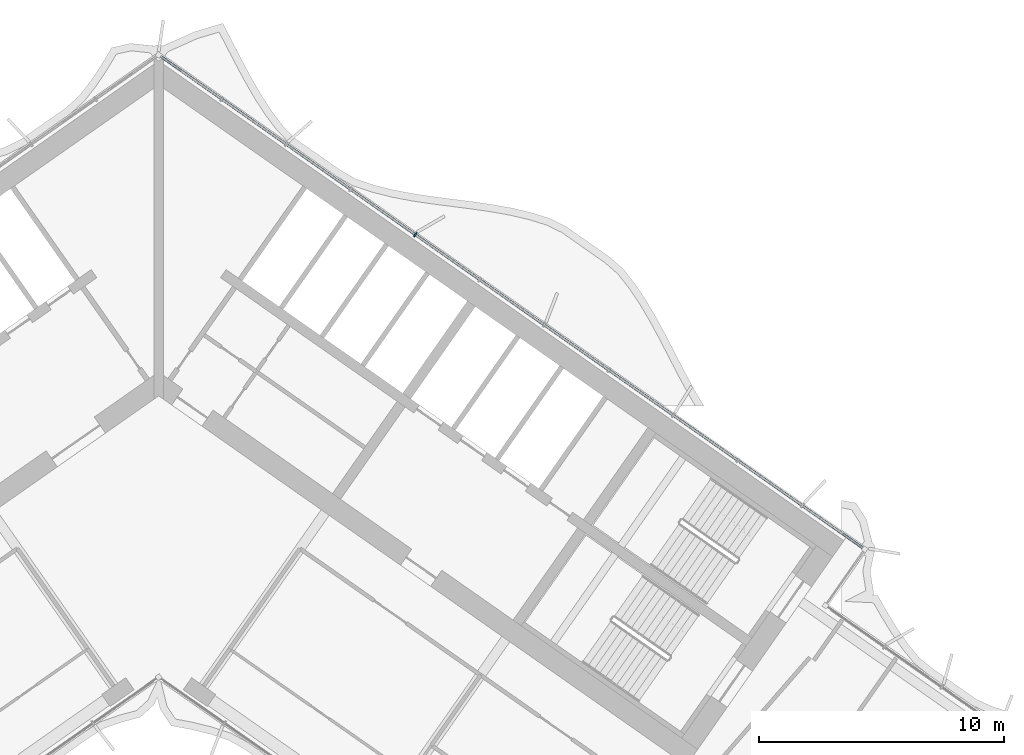
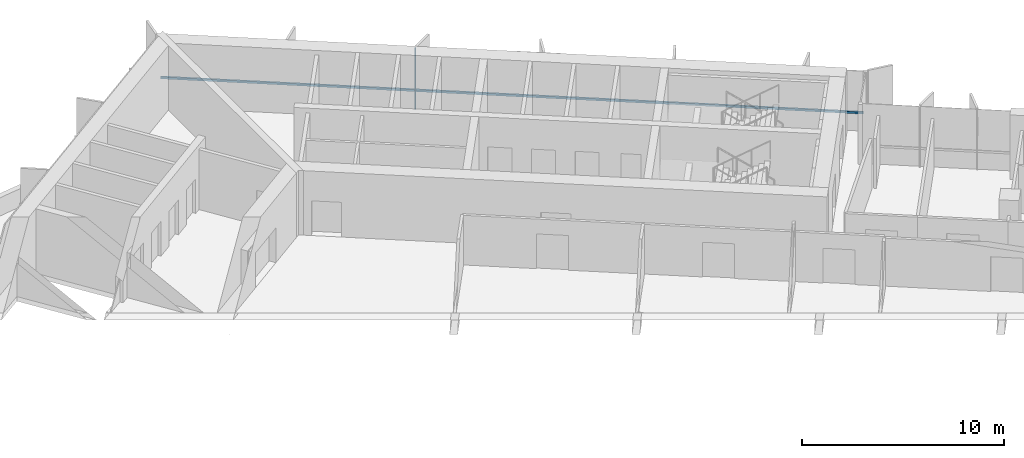
# One storey, part 10 of 23: 2 members, 1 element without a shape of its own.
"""IFC4 building model written with IfcOpenShell, lengths in metres."""

from ifc_helpers import new_model, si_unit, direction, frame, origin, origin_2d, place, context, subcontext, project, spatial, rectangle, extrude, material, material_profile, profile_set, type_object, element, aggregate, save


model = new_model("IFC4")

# Units and contexts
model_context = context("Model", 3, precision=1e-05, world=origin(), true_north=direction((0.0, 1.0)))
body_context = subcontext(model_context, "Body", "Model", "MODEL_VIEW")
ifc_project = project(units=[si_unit("LENGTHUNIT", "METRE"), si_unit("AREAUNIT", "SQUARE_METRE"), si_unit("VOLUMEUNIT", "CUBIC_METRE"), si_unit("PLANEANGLEUNIT", "RADIAN"), si_unit("MASSUNIT", "GRAM", prefix="KILO")], contexts=[model_context])

# Site, building, storey
site_placement = place(None, origin())
site = spatial("IfcSite", under=ifc_project, at=site_placement, CompositionType="ELEMENT")
building_placement = place(site_placement, origin())
building = spatial("IfcBuilding", under=site, at=building_placement, Name="Tel Ilan Convention Tower", CompositionType="ELEMENT")
storey_placement = place(building_placement, frame((0.0, 0.0, 171.0)))
storey = spatial("IfcBuildingStorey", under=building, at=storey_placement, Name="L39", CompositionType="ELEMENT", Elevation=171.0)

# Curtain wall, members
ifc_material_1 = material(Name="Aluminium, bronze anodised", Category="aluminium")
curtain_wall_type = type_object("IfcCurtainWallType", Name="CW2 STICK CURTAIN WALL, SPANDREL PANELS", PredefinedType="NOTDEFINED", material=ifc_material_1)
curtain_wall_placement = place(storey_placement, origin())
curtain_wall = element("IfcCurtainWall", 1, at=curtain_wall_placement, inside=storey, type_object=curtain_wall_type, Name="Curtain wall CW2-31.01", PredefinedType="NOTDEFINED")
ifc_material_2 = material(Name="Aluminium, bronze anodised", Category="aluminium")
ifc_material_profile_1 = material_profile(ifc_material_2, rectangle(XDim=0.06005859375, YDim=0.199951171875, at=origin_2d()), Name="CW MULLION 60x200")
ifc_profile_set_1 = profile_set([ifc_material_profile_1], Name="Aluminium, bronze anodised")
member_type_1 = type_object("IfcMemberType", Name="CW MULLION 60x200", PredefinedType="MULLION", material=ifc_profile_set_1)
member_1_placement = place(storey_placement, frame((10.47314453125, 5.36279296875, 0.0), z_axis=(0.0, 0.0, 1.0), x_axis=(-0.819152044289, 0.573576436351, 0.0)))
member_1 = element("IfcMember", 2, at=member_1_placement, type_object=member_type_1, Name="Mullion", PredefinedType="MULLION", context=body_context, shape_type="SweptSolid", body=[
    extrude(rectangle(XDim=0.06005859375, YDim=0.199951171875, at=origin_2d()), origin(), (0.0, 0.0, 1.0), 3.6201171875),
])
ifc_material_3 = material(Name="Aluminium, bronze anodised", Category="aluminium")
ifc_material_profile_2 = material_profile(ifc_material_3, rectangle(XDim=0.10009765625, YDim=0.1201171875, at=origin_2d()), Name="CW TRANSOM 100x120")
ifc_profile_set_2 = profile_set([ifc_material_profile_2], Name="Aluminium, bronze anodised")
member_type_2 = type_object("IfcMemberType", Name="CW TRANSOM 100x120", PredefinedType="USERDEFINED", material=ifc_profile_set_2)
member_2_placement = place(storey_placement, frame((28.737548828125, -7.42626953125, 1.10009765625), z_axis=(-0.819150201937, 0.573579067494, 0.0), x_axis=(-0.573579067494, -0.819150201937, 0.0)))
member_2 = element("IfcMember", 3, at=member_2_placement, type_object=member_type_2, Name="Transom", ObjectType="TRANSOM", PredefinedType="USERDEFINED", context=body_context, shape_type="SweptSolid", body=[
    extrude(rectangle(XDim=0.10009765625, YDim=0.1201171875, at=origin_2d()), origin(), (0.0, 0.0, 1.0), 34.9521484375),
])
aggregate(curtain_wall, [member_1, member_2])

save(model, "model.ifc")
